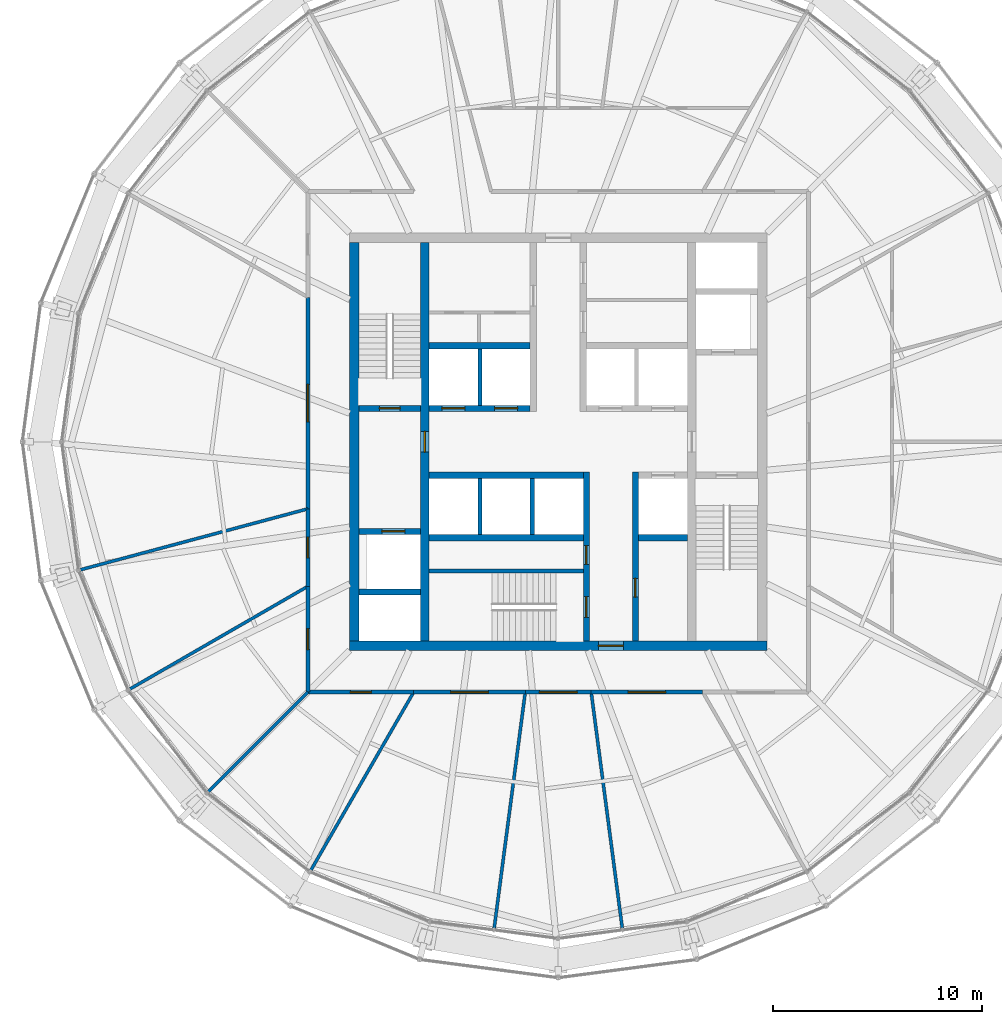
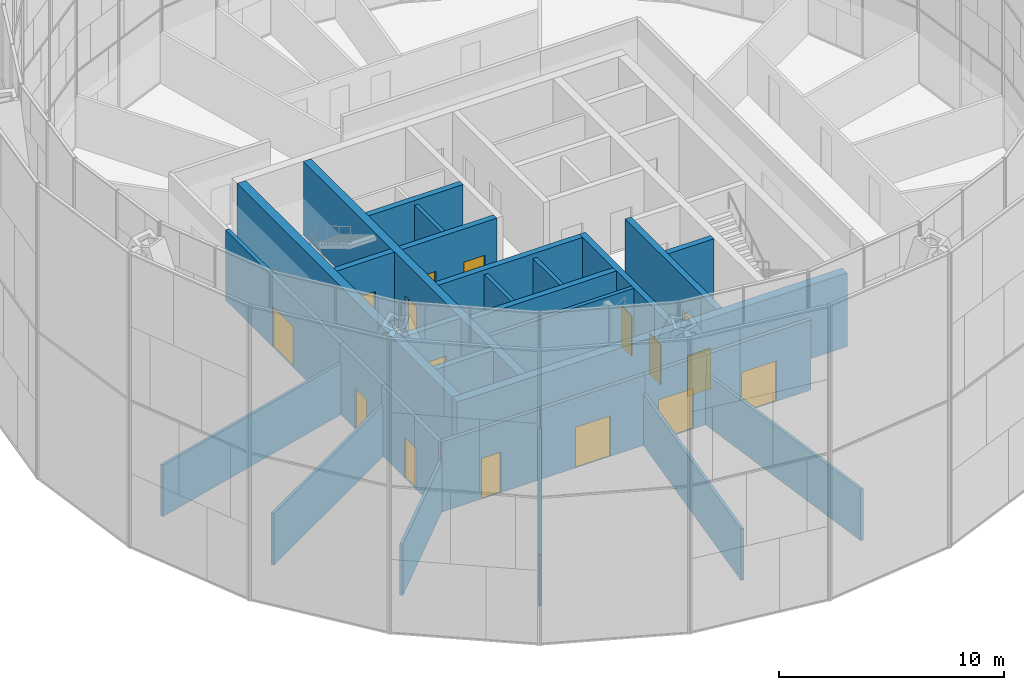
# One storey, part 25 of 28: 30 walls, 16 doors, 16 openings.
"""IFC4 building model written with IfcOpenShell, lengths in metres."""

import ifcopenshell
import ifcopenshell.guid

model = None  # the IFC model being written
_history = None  # IfcOwnerHistory: only IFC2X3 demands one
_inside = {}  # id of a spatial element -> (the spatial element, [elements in it])
_under = {}  # id of a project, library or spatial element -> (it, [spatial elements below it])
_declared = {}  # id of a project -> (the project, [libraries it declares])
_typed = {}  # id of a type object -> (the type object, [elements of that type])
_made_of = {}  # id of a material, layer set ... -> (it, [elements and type objects made of it])


def new_model(schema):
    """Start an empty IFC model of exactly this schema.

    Asked for "IFC4X3", IfcOpenShell would pick the latest addendum, in which some entities
    have other attributes; the version numbers below select the first issue.
    IFC2X3 requires an IfcOwnerHistory on every rooted entity: one is made here for all.
    """
    global model, _history
    if schema == "IFC4X3":
        model = ifcopenshell.file(schema_version=(4, 3, 0, 0))
    else:
        model = ifcopenshell.file(schema=schema)
    _inside.clear()
    _under.clear()
    _declared.clear()
    _typed.clear()
    _made_of.clear()
    _history = None
    if model.schema == "IFC2X3":
        org = make("IfcOrganization", Name="unknown")
        user = make(
            "IfcPersonAndOrganization",
            ThePerson=make("IfcPerson", FamilyName="unknown"),
            TheOrganization=org,
        )
        app = make(
            "IfcApplication",
            ApplicationDeveloper=org,
            Version="unknown",
            ApplicationFullName="unknown",
            ApplicationIdentifier="unknown",
        )
        _history = make(
            "IfcOwnerHistory",
            OwningUser=user,
            OwningApplication=app,
            ChangeAction="ADDED",
            CreationDate=0,
        )
    return model


def make(cls, **values):
    """One entity of the class cls with the attributes given. An attribute that is None is left unset."""
    return model.create_entity(
        cls, **{name: value for name, value in values.items() if value is not None}
    )


def rooted(cls, **values):
    """An entity with a GlobalId (a new one), such as an element, a storey or a relation."""
    return make(cls, GlobalId=ifcopenshell.guid.new(), OwnerHistory=_history, **values)


def si_unit(unit_type, name, prefix=None):
    """IfcSIUnit, for example si_unit("LENGTHUNIT", "METRE", prefix="MILLI")."""
    return make("IfcSIUnit", UnitType=unit_type, Prefix=prefix, Name=name)


def assignment(units):
    """IfcUnitAssignment: the units of a project."""
    return None if units is None else make("IfcUnitAssignment", Units=units)


def point(xyz):
    """IfcCartesianPoint."""
    return None if xyz is None else make("IfcCartesianPoint", Coordinates=xyz)


def direction(xyz):
    """IfcDirection."""
    return None if xyz is None else make("IfcDirection", DirectionRatios=xyz)


def frame(location, z_axis=None, x_axis=None):
    """IfcAxis2Placement3D, a coordinate frame: its origin and axes. An axis left out is left unset."""
    return make(
        "IfcAxis2Placement3D",
        Location=point(location),
        Axis=direction(z_axis),
        RefDirection=direction(x_axis),
    )


def frame_2d(location, x_axis=None):
    """IfcAxis2Placement2D, a coordinate frame in the plane: its origin and x axis."""
    return make(
        "IfcAxis2Placement2D", Location=point(location), RefDirection=direction(x_axis)
    )


def origin():
    """The frame at (0, 0, 0) with its axes left unset."""
    return frame((0.0, 0.0, 0.0))


def place(relative_to, where):
    """IfcLocalPlacement: puts the frame where relative to a parent placement (None: the world)."""
    return make(
        "IfcLocalPlacement", PlacementRelTo=relative_to, RelativePlacement=where
    )


def context(
    kind, dimensions, precision=None, world=None, true_north=None, identifier=None
):
    """IfcGeometricRepresentationContext, for example the 3D "Model" context."""
    return make(
        "IfcGeometricRepresentationContext",
        ContextIdentifier=identifier,
        ContextType=kind,
        CoordinateSpaceDimension=dimensions,
        Precision=precision,
        WorldCoordinateSystem=world,
        TrueNorth=true_north,
    )


def subcontext(parent, identifier, kind, view, scale=None):
    """IfcGeometricRepresentationSubContext, for example "Body" below "Model"."""
    return make(
        "IfcGeometricRepresentationSubContext",
        ContextIdentifier=identifier,
        ContextType=kind,
        ParentContext=parent,
        TargetScale=scale,
        TargetView=view,
    )


def project(units=None, contexts=None):
    """IfcProject with its units and contexts."""
    return rooted(
        "IfcProject",
        Name="project",
        RepresentationContexts=contexts,
        UnitsInContext=assignment(units),
    )


def spatial(cls, under=None, at=None, **own):
    """A site, building, storey or space (cls), placed at a placement, below another one or the project."""
    s = rooted(cls, ObjectPlacement=at, **own)
    if under is not None:
        _under.setdefault(under.id(), (under, []))[1].append(s)
    return s


def profile(cls, at=None, kind="AREA", **sizes):
    """A parametric profile (cls). Its sizes go by their IFC names, for example OverallWidth=200.0."""
    return make(cls, ProfileType=kind, Position=at, **sizes)


def rectangle(**sizes):
    """IfcRectangleProfileDef."""
    return profile("IfcRectangleProfileDef", **sizes)


def extrude(swept, where, along, depth):
    """IfcExtrudedAreaSolid: the profile swept, set in the frame where, extruded along a direction by depth."""
    return make(
        "IfcExtrudedAreaSolid",
        SweptArea=swept,
        Position=where,
        ExtrudedDirection=direction(along),
        Depth=depth,
    )


def shape(context_of_items, identifier, shape_type, items):
    """IfcShapeRepresentation: the items that make up one representation, for example the "Body"."""
    return make(
        "IfcShapeRepresentation",
        ContextOfItems=context_of_items,
        RepresentationIdentifier=identifier,
        RepresentationType=shape_type,
        Items=items,
    )


def material(Name=None, Category=None):
    """IfcMaterial."""
    return make("IfcMaterial", Name=Name, Category=Category)


def layer(
    of_material, thickness, ventilated=None, Name=None, Category=None, Priority=None
):
    """IfcMaterialLayer: one layer of a wall or slab, of a material (None: an air gap)."""
    return make(
        "IfcMaterialLayer",
        Material=of_material,
        LayerThickness=thickness,
        IsVentilated=ventilated,
        Name=Name,
        Category=Category,
        Priority=Priority,
    )


def layer_set(layers, Name=None):
    """IfcMaterialLayerSet."""
    return make("IfcMaterialLayerSet", MaterialLayers=layers, LayerSetName=Name)


def made_of(thing, what):
    """Note that an element or type object is made of a material, layer set ...; save() writes the relation."""
    if what is not None:
        _made_of.setdefault(what.id(), (what, []))[1].append(thing)
    return thing


def type_object(cls, material=None, **own):
    """A type object (cls), such as IfcWallType, which elements share."""
    return made_of(rooted(cls, **own), material)


def element(
    cls,
    number,
    at=None,
    inside=None,
    cuts=None,
    type_object=None,
    material=None,
    context=None,
    identifier="Body",
    shape_type=None,
    held_by="IfcProductDefinitionShape",
    body=None,
    shapes=None,
    **own,
):
    """One element of the class cls, such as IfcWall. Its Tag is "e" and its number.

    at: its placement. inside: the storey or other place that contains it. cuts: it is an
    opening in that element (IfcRelVoidsElement). A single representation is given by context,
    identifier, shape_type and body (its items); several are given by shapes. held_by: the class
    of the entity that holds the representations. save() writes the other relations.
    """
    e = rooted(cls, Tag="e%d" % number, ObjectPlacement=at, **own)
    if body is not None:
        shapes = [shape(context, identifier, shape_type, body)]
    if shapes is not None:
        e.Representation = make(held_by, Representations=shapes)
    if inside is not None:
        _inside.setdefault(inside.id(), (inside, []))[1].append(e)
    if cuts is not None:
        rooted(
            "IfcRelVoidsElement", RelatingBuildingElement=cuts, RelatedOpeningElement=e
        )
    if type_object is not None:
        _typed.setdefault(type_object.id(), (type_object, []))[1].append(e)
    return made_of(e, material)


def fill(opening, filler):
    """IfcRelFillsElement: the door or window that sits in an opening."""
    return rooted(
        "IfcRelFillsElement",
        RelatingOpeningElement=opening,
        RelatedBuildingElement=filler,
    )


def aggregate(whole, parts):
    """IfcRelAggregates: a whole, such as a stair, and the parts it consists of."""
    return rooted("IfcRelAggregates", RelatingObject=whole, RelatedObjects=parts)


def save(model, path):
    """Write the relations noted so far, then the file.

    IfcRelAggregates (storeys below a building ...), IfcRelContainedInSpatialStructure (elements
    in a storey), IfcRelDefinesByType, IfcRelAssociatesMaterial and IfcRelDeclares: one each for
    every whole, place, type object, material and project.
    """
    for whole, parts in _under.values():
        aggregate(whole, parts)
    for where, things in _inside.values():
        rooted(
            "IfcRelContainedInSpatialStructure",
            RelatedElements=things,
            RelatingStructure=where,
        )
    for kind, things in _typed.values():
        rooted("IfcRelDefinesByType", RelatedObjects=things, RelatingType=kind)
    for what, things in _made_of.values():
        rooted("IfcRelAssociatesMaterial", RelatedObjects=things, RelatingMaterial=what)
    for by, libraries in _declared.values():
        rooted("IfcRelDeclares", RelatingContext=by, RelatedDefinitions=libraries)
    model.write(path)


model = new_model("IFC4")

# Units and contexts
model_context = context("Model", 3, precision=1e-05, world=origin(), true_north=direction((0.0, 1.0)))
body_context = subcontext(model_context, "Body", "Model", "MODEL_VIEW")
ifc_project = project(units=[si_unit("LENGTHUNIT", "METRE"), si_unit("AREAUNIT", "SQUARE_METRE"), si_unit("VOLUMEUNIT", "CUBIC_METRE"), si_unit("PLANEANGLEUNIT", "RADIAN"), si_unit("MASSUNIT", "GRAM", prefix="KILO")], contexts=[model_context])

# Site, building, storey
site_placement = place(None, origin())
site = spatial("IfcSite", under=ifc_project, at=site_placement, CompositionType="ELEMENT")
building_placement = place(site_placement, origin())
building = spatial("IfcBuilding", under=site, at=building_placement, Name="Golbaran Civic Tower", CompositionType="ELEMENT")
storey_placement = place(building_placement, frame((0.0, 0.0, 183.0)))
storey = spatial("IfcBuildingStorey", under=building, at=storey_placement, Name="L44", CompositionType="ELEMENT", Elevation=183.0)

# Wall, opening, door
ifc_material_1 = material(Name="Concrete C50/60", Category="concrete")
ifc_layer_1 = layer(ifc_material_1, 0.39990234375, Name="Concrete C50/60")
ifc_layer_set_1 = layer_set([ifc_layer_1], Name="Concrete C50/60")
wall_type_1 = type_object("IfcWallType", Name="CORE WALL CONCRETE 400", PredefinedType="SOLIDWALL", material=ifc_layer_set_1)
wall_1_placement = place(storey_placement, frame((-6.39990234375, -9.550048828125, 0.0), z_axis=(0.0, 0.0, 1.0), x_axis=(0.0, 1.0, 0.0)))
wall_1 = element("IfcWall", 1, at=wall_1_placement, inside=storey, type_object=wall_type_1, Name="Core wall IW L44", PredefinedType="SOLIDWALL", context=body_context, shape_type="SweptSolid", body=[
    extrude(rectangle(XDim=19.10009765625, YDim=0.39990234375, at=frame_2d((9.550048828125, 0.0))), origin(), (0.0, 0.0, 1.0), 4.0),
])
opening_1_placement = place(wall_1_placement, frame((9.050048828125, 0.0, 0.0)))
opening_1 = element("IfcOpeningElement", 2, at=opening_1_placement, cuts=wall_1, Name="Opening L44.FL1", PredefinedType="OPENING", context=body_context, shape_type="SweptSolid", body=[
    extrude(rectangle(XDim=1.0, YDim=2.199951171875, at=frame_2d((0.5, 1.10009765625))), frame((0.0, 0.2099609375, 0.0), z_axis=(0.0, -1.0, 0.0), x_axis=(1.0, 0.0, 0.0)), (0.0, 0.0, 1.0), 0.419921875),
])
ifc_material_2 = material(Name="Timber door set in steel frame", Category="steel")
door_type_1 = type_object("IfcDoorType", Name="STAIR DOOR 1000x2200", OperationType="SINGLE_SWING_LEFT", PredefinedType="DOOR", material=ifc_material_2)
door_1_placement = place(opening_1_placement, origin())
door_1 = element("IfcDoor", 3, at=door_1_placement, inside=storey, type_object=door_type_1, Name="Fire-fighting lobby FL1 door", OperationType="SINGLE_SWING_LEFT", OverallHeight=2.199951171875, OverallWidth=1.0, PredefinedType="DOOR", context=body_context, shape_type="SweptSolid", body=[
    extrude(rectangle(XDim=1.0, YDim=2.199951171875, at=frame_2d((0.5, 1.10009765625))), frame((0.0, 0.02490234375, 0.0), z_axis=(0.0, -1.0, 0.0), x_axis=(1.0, 0.0, 0.0)), (0.0, 0.0, 1.0), 0.050048828125),
])
fill(opening_1, door_1)

ifc_layer_2 = layer(ifc_material_1, 0.449951171875, Name="Concrete C50/60")
ifc_layer_set_2 = layer_set([ifc_layer_2], Name="Concrete C50/60")
wall_type_2 = type_object("IfcWallType", Name="CORE WALL CONCRETE 450", PredefinedType="SOLIDWALL", material=ifc_layer_set_2)
wall_2_placement = place(storey_placement, frame((10.0, -9.77490234375, 0.0), z_axis=(0.0, 0.0, 1.0), x_axis=(-1.0, 0.0, 0.0)))
wall_2 = element("IfcWall", 4, at=wall_2_placement, inside=storey, type_object=wall_type_2, Name="Core wall CS L44", PredefinedType="SOLIDWALL", context=body_context, shape_type="SweptSolid", body=[
    extrude(rectangle(XDim=20.0, YDim=0.449951171875, at=frame_2d((10.0, 0.0))), origin(), (0.0, 0.0, 1.0), 4.0),
])
opening_2_placement = place(wall_2_placement, frame((6.875, 0.0, 0.0)))
opening_2 = element("IfcOpeningElement", 5, at=opening_2_placement, cuts=wall_2, Name="Opening L44.CS", PredefinedType="OPENING", context=body_context, shape_type="SweptSolid", body=[
    extrude(rectangle(XDim=1.199951171875, YDim=2.199951171875, at=frame_2d((0.60009765625, 1.10009765625))), frame((0.0, 0.23486328125, 0.0), z_axis=(0.0, -1.0, 0.0), x_axis=(1.0, 0.0, 0.0)), (0.0, 0.0, 1.0), 0.469970703125),
])
door_type_2 = type_object("IfcDoorType", Name="CORE DOOR 1200x2200", OperationType="DOUBLE_DOOR_SINGLE_SWING", PredefinedType="DOOR", material=ifc_material_2)
door_2_placement = place(opening_2_placement, origin())
door_2 = element("IfcDoor", 6, at=door_2_placement, inside=storey, type_object=door_type_2, Name="Core door south", OperationType="DOUBLE_DOOR_SINGLE_SWING", OverallHeight=2.199951171875, OverallWidth=1.199951171875, PredefinedType="DOOR", context=body_context, shape_type="SweptSolid", body=[
    extrude(rectangle(XDim=1.199951171875, YDim=2.199951171875, at=frame_2d((0.60009765625, 1.10009765625))), frame((0.0, 0.02490234375, 0.0), z_axis=(0.0, -1.0, 0.0), x_axis=(1.0, 0.0, 0.0)), (0.0, 0.0, 1.0), 0.050048828125),
])
fill(opening_2, door_2)

# Wall
wall_3_placement = place(storey_placement, frame((-9.77490234375, 9.550048828125, 0.0), z_axis=(0.0, 0.0, 1.0), x_axis=(0.0, -1.0, 0.0)))
element("IfcWall", 7, at=wall_3_placement, inside=storey, type_object=wall_type_2, Name="Core wall CW L44", PredefinedType="SOLIDWALL", context=body_context, shape_type="SweptSolid", body=[
    extrude(rectangle(XDim=19.10009765625, YDim=0.449951171875, at=frame_2d((9.550048828125, 0.0))), origin(), (0.0, 0.0, 1.0), 4.0),
])

# Wall, opening, door
ifc_material_3 = material(Name="Gypsum board on steel studs, fire-rated", Category="steel")
ifc_layer_3 = layer(ifc_material_3, 0.199951171875, Name="Gypsum board on steel studs, fire-rated")
ifc_layer_set_3 = layer_set([ifc_layer_3], Name="Gypsum board on steel studs, fire-rated")
wall_type_3 = type_object("IfcWallType", Name="CORRIDOR WALL 200", PredefinedType="PARTITIONING", material=ifc_layer_set_3)
wall_4_placement = place(storey_placement, frame((-12.0, 6.92822265625, 0.0), z_axis=(0.0, 0.0, 1.0), x_axis=(0.0, -1.0, 0.0)))
wall_4 = element("IfcWall", 8, at=wall_4_placement, inside=storey, type_object=wall_type_3, Name="Corridor wall L44", PredefinedType="PARTITIONING", context=body_context, shape_type="SweptSolid", body=[
    extrude(rectangle(XDim=10.1435546875, YDim=0.199951171875, at=frame_2d((5.07177734375, 0.0))), origin(), (0.0, 0.0, 1.0), 3.800048828125),
])
opening_3_placement = place(wall_4_placement, frame((4.171875, 0.0, 0.0)))
opening_3 = element("IfcOpeningElement", 9, at=opening_3_placement, cuts=wall_4, Name="Opening L44.14", PredefinedType="OPENING", context=body_context, shape_type="SweptSolid", body=[
    extrude(rectangle(XDim=1.800048828125, YDim=2.199951171875, at=frame_2d((0.89990234375, 1.10009765625))), frame((0.0, 0.10986328125, 0.0), z_axis=(0.0, -1.0, 0.0), x_axis=(1.0, 0.0, 0.0)), (0.0, 0.0, 1.0), 0.219970703125),
])
door_type_3 = type_object("IfcDoorType", Name="OFFICE DOUBLE DOOR 1800x2200", OperationType="DOUBLE_DOOR_SINGLE_SWING", PredefinedType="DOOR", material=ifc_material_2)
door_3_placement = place(opening_3_placement, origin())
door_3 = element("IfcDoor", 10, at=door_3_placement, inside=storey, type_object=door_type_3, Name="IT Services Office door L44", OperationType="DOUBLE_DOOR_SINGLE_SWING", OverallHeight=2.199951171875, OverallWidth=1.800048828125, PredefinedType="DOOR", context=body_context, shape_type="SweptSolid", body=[
    extrude(rectangle(XDim=1.800048828125, YDim=2.199951171875, at=frame_2d((0.89990234375, 1.10009765625))), frame((0.0, 0.02490234375, 0.0), z_axis=(0.0, -1.0, 0.0), x_axis=(1.0, 0.0, 0.0)), (0.0, 0.0, 1.0), 0.050048828125),
])
fill(opening_3, door_3)

wall_5_placement = place(storey_placement, frame((-12.0, -3.21533203125, 0.0), z_axis=(0.0, 0.0, 1.0), x_axis=(0.0, -1.0, 0.0)))
wall_5 = element("IfcWall", 11, at=wall_5_placement, inside=storey, type_object=wall_type_3, Name="Corridor wall L44", PredefinedType="PARTITIONING", context=body_context, shape_type="SweptSolid", body=[
    extrude(rectangle(XDim=3.712890625, YDim=0.199951171875, at=frame_2d((1.8564453125, 0.0))), origin(), (0.0, 0.0, 1.0), 3.800048828125),
])
opening_4_placement = place(wall_5_placement, frame((1.3564453125, 0.0, 0.0)))
opening_4 = element("IfcOpeningElement", 12, at=opening_4_placement, cuts=wall_5, Name="Opening L44.15", PredefinedType="OPENING", context=body_context, shape_type="SweptSolid", body=[
    extrude(rectangle(XDim=1.0, YDim=2.199951171875, at=frame_2d((0.5, 1.10009765625))), frame((0.0, 0.10986328125, 0.0), z_axis=(0.0, -1.0, 0.0), x_axis=(1.0, 0.0, 0.0)), (0.0, 0.0, 1.0), 0.219970703125),
])
door_type_4 = type_object("IfcDoorType", Name="OFFICE DOOR 1000x2200", OperationType="SINGLE_SWING_LEFT", PredefinedType="DOOR", material=ifc_material_2)
door_4_placement = place(opening_4_placement, origin())
door_4 = element("IfcDoor", 13, at=door_4_placement, inside=storey, type_object=door_type_4, Name="Meeting Room door L44", OperationType="SINGLE_SWING_RIGHT", OverallHeight=2.199951171875, OverallWidth=1.0, PredefinedType="DOOR", context=body_context, shape_type="SweptSolid", body=[
    extrude(rectangle(XDim=1.0, YDim=2.199951171875, at=frame_2d((0.5, 1.10009765625))), frame((0.0, 0.02490234375, 0.0), z_axis=(0.0, -1.0, 0.0), x_axis=(1.0, 0.0, 0.0)), (0.0, 0.0, 1.0), 0.050048828125),
])
fill(opening_4, door_4)

wall_6_placement = place(storey_placement, frame((-12.0, -6.92822265625, 0.0), z_axis=(0.0, 0.0, 1.0), x_axis=(0.0, -1.0, 0.0)))
wall_6 = element("IfcWall", 14, at=wall_6_placement, inside=storey, type_object=wall_type_3, Name="Corridor wall L44", PredefinedType="PARTITIONING", context=body_context, shape_type="SweptSolid", body=[
    extrude(rectangle(XDim=5.07177734375, YDim=0.199951171875, at=frame_2d((2.535888671875, 0.0))), origin(), (0.0, 0.0, 1.0), 3.800048828125),
])
opening_5_placement = place(wall_6_placement, frame((2.035888671875, 0.0, 0.0)))
opening_5 = element("IfcOpeningElement", 15, at=opening_5_placement, cuts=wall_6, Name="Opening L44.16", PredefinedType="OPENING", context=body_context, shape_type="SweptSolid", body=[
    extrude(rectangle(XDim=1.0, YDim=2.199951171875, at=frame_2d((0.5, 1.10009765625))), frame((0.0, 0.10986328125, 0.0), z_axis=(0.0, -1.0, 0.0), x_axis=(1.0, 0.0, 0.0)), (0.0, 0.0, 1.0), 0.219970703125),
])
door_5_placement = place(opening_5_placement, origin())
door_5 = element("IfcDoor", 16, at=door_5_placement, inside=storey, type_object=door_type_4, Name="Meeting Room door L44", OperationType="SINGLE_SWING_RIGHT", OverallHeight=2.199951171875, OverallWidth=1.0, PredefinedType="DOOR", context=body_context, shape_type="SweptSolid", body=[
    extrude(rectangle(XDim=1.0, YDim=2.199951171875, at=frame_2d((0.5, 1.10009765625))), frame((0.0, 0.02490234375, 0.0), z_axis=(0.0, -1.0, 0.0), x_axis=(1.0, 0.0, 0.0)), (0.0, 0.0, 1.0), 0.050048828125),
])
fill(opening_5, door_5)

wall_7_placement = place(storey_placement, frame((-12.0, -12.0, 0.0), z_axis=(0.0, 0.0, 1.0), x_axis=(1.0, 0.0, 0.0)))
wall_7 = element("IfcWall", 17, at=wall_7_placement, inside=storey, type_object=wall_type_3, Name="Corridor wall L44", PredefinedType="PARTITIONING", context=body_context, shape_type="SweptSolid", body=[
    extrude(rectangle(XDim=5.07177734375, YDim=0.199951171875, at=frame_2d((2.535888671875, 0.0))), origin(), (0.0, 0.0, 1.0), 3.800048828125),
])
opening_6_placement = place(wall_7_placement, frame((2.035888671875, 0.0, 0.0)))
opening_6 = element("IfcOpeningElement", 18, at=opening_6_placement, cuts=wall_7, Name="Opening L44.17", PredefinedType="OPENING", context=body_context, shape_type="SweptSolid", body=[
    extrude(rectangle(XDim=1.0, YDim=2.199951171875, at=frame_2d((0.5, 1.10009765625))), frame((0.0, 0.10986328125, 0.0), z_axis=(0.0, -1.0, 0.0), x_axis=(1.0, 0.0, 0.0)), (0.0, 0.0, 1.0), 0.219970703125),
])
door_6_placement = place(opening_6_placement, origin())
door_6 = element("IfcDoor", 19, at=door_6_placement, inside=storey, type_object=door_type_4, Name="Store door L44", OperationType="SINGLE_SWING_LEFT", OverallHeight=2.199951171875, OverallWidth=1.0, PredefinedType="DOOR", context=body_context, shape_type="SweptSolid", body=[
    extrude(rectangle(XDim=1.0, YDim=2.199951171875, at=frame_2d((0.5, 1.10009765625))), frame((0.0, 0.02490234375, 0.0), z_axis=(0.0, -1.0, 0.0), x_axis=(1.0, 0.0, 0.0)), (0.0, 0.0, 1.0), 0.050048828125),
])
fill(opening_6, door_6)

wall_8_placement = place(storey_placement, frame((-6.92822265625, -12.0, 0.0), z_axis=(0.0, 0.0, 1.0), x_axis=(1.0, 0.0, 0.0)))
wall_8 = element("IfcWall", 20, at=wall_8_placement, inside=storey, type_object=wall_type_3, Name="Corridor wall L44", PredefinedType="PARTITIONING", context=body_context, shape_type="SweptSolid", body=[
    extrude(rectangle(XDim=5.348388671875, YDim=0.199951171875, at=frame_2d((2.67431640625, 0.0))), origin(), (0.0, 0.0, 1.0), 3.800048828125),
])
opening_7_placement = place(wall_8_placement, frame((1.774169921875, 0.0, 0.0)))
opening_7 = element("IfcOpeningElement", 21, at=opening_7_placement, cuts=wall_8, Name="Opening L44.18", PredefinedType="OPENING", context=body_context, shape_type="SweptSolid", body=[
    extrude(rectangle(XDim=1.800048828125, YDim=2.199951171875, at=frame_2d((0.89990234375, 1.10009765625))), frame((0.0, 0.10986328125, 0.0), z_axis=(0.0, -1.0, 0.0), x_axis=(1.0, 0.0, 0.0)), (0.0, 0.0, 1.0), 0.219970703125),
])
door_7_placement = place(opening_7_placement, origin())
door_7 = element("IfcDoor", 22, at=door_7_placement, inside=storey, type_object=door_type_3, Name="Data and Statistics Office door L44", OperationType="DOUBLE_DOOR_SINGLE_SWING", OverallHeight=2.199951171875, OverallWidth=1.800048828125, PredefinedType="DOOR", context=body_context, shape_type="SweptSolid", body=[
    extrude(rectangle(XDim=1.800048828125, YDim=2.199951171875, at=frame_2d((0.89990234375, 1.10009765625))), frame((0.0, 0.02490234375, 0.0), z_axis=(0.0, -1.0, 0.0), x_axis=(1.0, 0.0, 0.0)), (0.0, 0.0, 1.0), 0.050048828125),
])
fill(opening_7, door_7)

wall_9_placement = place(storey_placement, frame((-1.579833984375, -12.0, 0.0), z_axis=(0.0, 0.0, 1.0), x_axis=(1.0, 0.0, 0.0)))
wall_9 = element("IfcWall", 23, at=wall_9_placement, inside=storey, type_object=wall_type_3, Name="Corridor wall L44", PredefinedType="PARTITIONING", context=body_context, shape_type="SweptSolid", body=[
    extrude(rectangle(XDim=3.15966796875, YDim=0.199951171875, at=frame_2d((1.579833984375, 0.0))), origin(), (0.0, 0.0, 1.0), 3.800048828125),
])
opening_8_placement = place(wall_9_placement, frame((0.679931640625, 0.0, 0.0)))
opening_8 = element("IfcOpeningElement", 24, at=opening_8_placement, cuts=wall_9, Name="Opening L44.19", PredefinedType="OPENING", context=body_context, shape_type="SweptSolid", body=[
    extrude(rectangle(XDim=1.800048828125, YDim=2.199951171875, at=frame_2d((0.89990234375, 1.10009765625))), frame((0.0, 0.10986328125, 0.0), z_axis=(0.0, -1.0, 0.0), x_axis=(1.0, 0.0, 0.0)), (0.0, 0.0, 1.0), 0.219970703125),
])
door_8_placement = place(opening_8_placement, origin())
door_8 = element("IfcDoor", 25, at=door_8_placement, inside=storey, type_object=door_type_3, Name="Data and Statistics Office door L44", OperationType="DOUBLE_DOOR_SINGLE_SWING", OverallHeight=2.199951171875, OverallWidth=1.800048828125, PredefinedType="DOOR", context=body_context, shape_type="SweptSolid", body=[
    extrude(rectangle(XDim=1.800048828125, YDim=2.199951171875, at=frame_2d((0.89990234375, 1.10009765625))), frame((0.0, 0.02490234375, 0.0), z_axis=(0.0, -1.0, 0.0), x_axis=(1.0, 0.0, 0.0)), (0.0, 0.0, 1.0), 0.050048828125),
])
fill(opening_8, door_8)

wall_10_placement = place(storey_placement, frame((1.579833984375, -12.0, 0.0), z_axis=(0.0, 0.0, 1.0), x_axis=(1.0, 0.0, 0.0)))
wall_10 = element("IfcWall", 26, at=wall_10_placement, inside=storey, type_object=wall_type_3, Name="Corridor wall L44", PredefinedType="PARTITIONING", context=body_context, shape_type="SweptSolid", body=[
    extrude(rectangle(XDim=5.348388671875, YDim=0.199951171875, at=frame_2d((2.67431640625, 0.0))), origin(), (0.0, 0.0, 1.0), 3.800048828125),
])
opening_9_placement = place(wall_10_placement, frame((1.774169921875, 0.0, 0.0)))
opening_9 = element("IfcOpeningElement", 27, at=opening_9_placement, cuts=wall_10, Name="Opening L44.20", PredefinedType="OPENING", context=body_context, shape_type="SweptSolid", body=[
    extrude(rectangle(XDim=1.800048828125, YDim=2.199951171875, at=frame_2d((0.89990234375, 1.10009765625))), frame((0.0, 0.10986328125, 0.0), z_axis=(0.0, -1.0, 0.0), x_axis=(1.0, 0.0, 0.0)), (0.0, 0.0, 1.0), 0.219970703125),
])
door_9_placement = place(opening_9_placement, origin())
door_9 = element("IfcDoor", 28, at=door_9_placement, inside=storey, type_object=door_type_3, Name="Data and Statistics Office door L44", OperationType="DOUBLE_DOOR_SINGLE_SWING", OverallHeight=2.199951171875, OverallWidth=1.800048828125, PredefinedType="DOOR", context=body_context, shape_type="SweptSolid", body=[
    extrude(rectangle(XDim=1.800048828125, YDim=2.199951171875, at=frame_2d((0.89990234375, 1.10009765625))), frame((0.0, 0.02490234375, 0.0), z_axis=(0.0, -1.0, 0.0), x_axis=(1.0, 0.0, 0.0)), (0.0, 0.0, 1.0), 0.050048828125),
])
fill(opening_9, door_9)

# Walls
ifc_material_4 = material(Name="Concrete block", Category="concrete")
ifc_layer_4 = layer(ifc_material_4, 0.199951171875, Name="Concrete block")
ifc_layer_set_4 = layer_set([ifc_layer_4], Name="Concrete block")
wall_type_4 = type_object("IfcWallType", Name="LIFT SEPARATOR WALL 200", PredefinedType="SOLIDWALL", material=ifc_layer_set_4)
for number, where, z_axis, x_axis, name in (
    (29, (-3.75, 1.75, 0.0), (0.0, 0.0, 1.0), (0.0, 1.0, 0.0), "Core partition SNW L44"),
    (30, (-3.75, -1.75, 0.0), (0.0, 0.0, 1.0), (0.0, -1.0, 0.0), "Core partition SSW L44"),
    (31, (-1.25, -1.75, 0.0), (0.0, 0.0, 1.0), (0.0, -1.0, 0.0), "Core partition SSM L44"),
):
    element("IfcWall", number, at=place(storey_placement, frame(where, z_axis=z_axis, x_axis=x_axis)), inside=storey, type_object=wall_type_4, Name=name, PredefinedType="SOLIDWALL", context=body_context, shape_type="SweptSolid", body=[
        extrude(rectangle(XDim=2.699951171875, YDim=0.199951171875, at=frame_2d((1.35009765625, 0.0))), origin(), (0.0, 0.0, 1.0), 3.75),
    ])
ifc_material_5 = material(Name="Gypsum board on steel studs", Category="steel")
ifc_layer_5 = layer(ifc_material_5, 0.14990234375, Name="Gypsum board on steel studs")
ifc_layer_set_5 = layer_set([ifc_layer_5], Name="Gypsum board on steel studs")
wall_type_5 = type_object("IfcWallType", Name="OFFICE PARTITION 150", PredefinedType="PARTITIONING", material=ifc_layer_set_5)
wall_11_placement = place(storey_placement, frame((-12.0, -3.21533203125, 0.0), z_axis=(0.0, 0.0, 1.0), x_axis=(-0.965926155577, -0.258817816178, 0.0)))
element("IfcWall", 32, at=wall_11_placement, inside=storey, type_object=wall_type_5, Name="Partition 195 L44", PredefinedType="PARTITIONING", context=body_context, shape_type="SweptSolid", body=[
    extrude(rectangle(XDim=11.2978515625, YDim=0.14990234375, at=frame_2d((5.64892578125, 0.0))), origin(), (0.0, 0.0, 1.0), 2.7900390625),
])
wall_12_placement = place(storey_placement, frame((-12.0, -6.92822265625, 0.0), z_axis=(0.0, 0.0, 1.0), x_axis=(-0.866027739639, -0.49999595416, 0.0)))
element("IfcWall", 33, at=wall_12_placement, inside=storey, type_object=wall_type_5, Name="Partition 210 L44", PredefinedType="PARTITIONING", context=body_context, shape_type="SweptSolid", body=[
    extrude(rectangle(XDim=9.86474609375, YDim=0.14990234375, at=frame_2d((4.932373046875, 0.0))), origin(), (0.0, 0.0, 1.0), 2.7900390625),
])
wall_13_placement = place(storey_placement, frame((-12.0, -12.0, 0.0), z_axis=(0.0, 0.0, 1.0), x_axis=(-0.707106781187, -0.707106781187, 0.0)))
element("IfcWall", 34, at=wall_13_placement, inside=storey, type_object=wall_type_5, Name="Partition 225 L44", PredefinedType="PARTITIONING", context=body_context, shape_type="SweptSolid", body=[
    extrude(rectangle(XDim=6.750732421875, YDim=0.14990234375, at=frame_2d((3.37548828125, 0.0))), origin(), (0.0, 0.0, 1.0), 2.7900390625),
])
wall_14_placement = place(storey_placement, frame((-6.92822265625, -12.0, 0.0), z_axis=(0.0, 0.0, 1.0), x_axis=(-0.49999595416, -0.866027739639, 0.0)))
element("IfcWall", 35, at=wall_14_placement, inside=storey, type_object=wall_type_5, Name="Partition 240 L44", PredefinedType="PARTITIONING", context=body_context, shape_type="SweptSolid", body=[
    extrude(rectangle(XDim=9.86474609375, YDim=0.14990234375, at=frame_2d((4.932373046875, 0.0))), origin(), (0.0, 0.0, 1.0), 2.7900390625),
])
for number, where, z_axis, x_axis, name in (
    (36, (-1.579833984375, -12.0, 0.0), (0.0, 0.0, 1.0), (-0.130531416064, -0.991444173628, 0.0), "Partition 262.5 L44"),
    (37, (1.579833984375, -12.0, 0.0), (0.0, 0.0, 1.0), (0.130531416064, -0.991444173628, 0.0), "Partition 277.5 L44"),
):
    element("IfcWall", number, at=place(storey_placement, frame(where, z_axis=z_axis, x_axis=x_axis)), inside=storey, type_object=wall_type_5, Name=name, PredefinedType="PARTITIONING", context=body_context, shape_type="SweptSolid", body=[
        extrude(rectangle(XDim=11.414794921875, YDim=0.14990234375, at=frame_2d((5.70751953125, 0.0))), origin(), (0.0, 0.0, 1.0), 2.7900390625),
    ])
ifc_layer_6 = layer(ifc_material_1, 0.199951171875, Name="Concrete C50/60")
ifc_layer_set_6 = layer_set([ifc_layer_6], Name="Concrete C50/60")
wall_type_6 = type_object("IfcWallType", Name="SHAFT WALL CONCRETE 200", PredefinedType="SOLIDWALL", material=ifc_layer_set_6)
wall_15_placement = place(storey_placement, frame((-6.199951171875, -6.199951171875, 0.0), z_axis=(0.0, 0.0, 1.0), x_axis=(1.0, 0.0, 0.0)))
element("IfcWall", 38, at=wall_15_placement, inside=storey, type_object=wall_type_6, Name="Core wall S3N L44", PredefinedType="SOLIDWALL", context=body_context, shape_type="SweptSolid", body=[
    extrude(rectangle(XDim=7.39990234375, YDim=0.199951171875, at=frame_2d((3.699951171875, 0.0))), origin(), (0.0, 0.0, 1.0), 4.0),
])

# Wall, openings, doors
ifc_layer_7 = layer(ifc_material_1, 0.300048828125, Name="Concrete C50/60")
ifc_layer_set_7 = layer_set([ifc_layer_7], Name="Concrete C50/60")
wall_type_7 = type_object("IfcWallType", Name="SHAFT WALL CONCRETE 300", PredefinedType="SOLIDWALL", material=ifc_layer_set_7)
wall_16_placement = place(storey_placement, frame((-6.199951171875, 1.60009765625, 0.0), z_axis=(0.0, 0.0, 1.0), x_axis=(1.0, 0.0, 0.0)))
wall_16 = element("IfcWall", 39, at=wall_16_placement, inside=storey, type_object=wall_type_7, Name="Core wall FNW L44", PredefinedType="SOLIDWALL", context=body_context, shape_type="SweptSolid", body=[
    extrude(rectangle(XDim=4.849853515625, YDim=0.300048828125, at=frame_2d((2.4248046875, 0.0))), origin(), (0.0, 0.0, 1.0), 4.0),
])
opening_10_placement = place(wall_16_placement, frame((0.625, 0.0, 0.0)))
opening_10 = element("IfcOpeningElement", 40, at=opening_10_placement, cuts=wall_16, Name="Opening L44.LD-Z1H", PredefinedType="OPENING", context=body_context, shape_type="SweptSolid", body=[
    extrude(rectangle(XDim=1.10009765625, YDim=2.199951171875, at=frame_2d((0.550048828125, 1.10009765625))), frame((0.0, 0.159912109375, 0.0), z_axis=(0.0, -1.0, 0.0), x_axis=(1.0, 0.0, 0.0)), (0.0, 0.0, 1.0), 0.320068359375),
])
opening_11_placement = place(wall_16_placement, frame((3.14990234375, 0.0, 0.0)))
opening_11 = element("IfcOpeningElement", 41, at=opening_11_placement, cuts=wall_16, Name="Opening L44.LD-Z2H", PredefinedType="OPENING", context=body_context, shape_type="SweptSolid", body=[
    extrude(rectangle(XDim=1.10009765625, YDim=2.199951171875, at=frame_2d((0.550048828125, 1.10009765625))), frame((0.0, 0.159912109375, 0.0), z_axis=(0.0, -1.0, 0.0), x_axis=(1.0, 0.0, 0.0)), (0.0, 0.0, 1.0), 0.320068359375),
])
ifc_material_6 = material(Name="Stainless steel", Category="steel")
door_type_5 = type_object("IfcDoorType", Name="LIFT LANDING DOOR 1100x2200", OperationType="SLIDING_TO_LEFT", PredefinedType="DOOR", material=ifc_material_6)
door_10_placement = place(opening_10_placement, origin())
door_10 = element("IfcDoor", 42, at=door_10_placement, inside=storey, type_object=door_type_5, Name="Lift landing door Z1H", OperationType="SLIDING_TO_LEFT", OverallHeight=2.199951171875, OverallWidth=1.10009765625, PredefinedType="DOOR", context=body_context, shape_type="SweptSolid", body=[
    extrude(rectangle(XDim=1.10009765625, YDim=2.199951171875, at=frame_2d((0.550048828125, 1.10009765625))), frame((0.0, 0.02490234375, 0.0), z_axis=(0.0, -1.0, 0.0), x_axis=(1.0, 0.0, 0.0)), (0.0, 0.0, 1.0), 0.050048828125),
])
fill(opening_10, door_10)
door_11_placement = place(opening_11_placement, origin())
door_11 = element("IfcDoor", 43, at=door_11_placement, inside=storey, type_object=door_type_5, Name="Lift landing door Z2H", OperationType="SLIDING_TO_LEFT", OverallHeight=2.199951171875, OverallWidth=1.10009765625, PredefinedType="DOOR", context=body_context, shape_type="SweptSolid", body=[
    extrude(rectangle(XDim=1.10009765625, YDim=2.199951171875, at=frame_2d((0.550048828125, 1.10009765625))), frame((0.0, 0.02490234375, 0.0), z_axis=(0.0, -1.0, 0.0), x_axis=(1.0, 0.0, 0.0)), (0.0, 0.0, 1.0), 0.050048828125),
])
fill(opening_11, door_11)

# Walls
wall_17_placement = place(storey_placement, frame((-6.199951171875, 4.60009765625, 0.0), z_axis=(0.0, 0.0, 1.0), x_axis=(1.0, 0.0, 0.0)))
element("IfcWall", 44, at=wall_17_placement, inside=storey, type_object=wall_type_7, Name="Core wall BNW L44", PredefinedType="SOLIDWALL", context=body_context, shape_type="SweptSolid", body=[
    extrude(rectangle(XDim=4.849853515625, YDim=0.300048828125, at=frame_2d((2.4248046875, 0.0))), origin(), (0.0, 0.0, 1.0), 4.0),
])
for number, where, z_axis, x_axis, name in (
    (45, (-6.199951171875, -1.60009765625, 0.0), (0.0, 0.0, 1.0), (1.0, 0.0, 0.0), "Core wall FSW L44"),
    (46, (-6.199951171875, -4.60009765625, 0.0), (0.0, 0.0, 1.0), (1.0, 0.0, 0.0), "Core wall BSW L44"),
):
    element("IfcWall", number, at=place(storey_placement, frame(where, z_axis=z_axis, x_axis=x_axis)), inside=storey, type_object=wall_type_7, Name=name, PredefinedType="SOLIDWALL", context=body_context, shape_type="SweptSolid", body=[
        extrude(rectangle(XDim=7.39990234375, YDim=0.300048828125, at=frame_2d((3.699951171875, 0.0))), origin(), (0.0, 0.0, 1.0), 4.0),
    ])
wall_18_placement = place(storey_placement, frame((3.85009765625, -4.60009765625, 0.0), z_axis=(0.0, 0.0, 1.0), x_axis=(1.0, 0.0, 0.0)))
element("IfcWall", 47, at=wall_18_placement, inside=storey, type_object=wall_type_7, Name="Core wall BSE L44", PredefinedType="SOLIDWALL", context=body_context, shape_type="SweptSolid", body=[
    extrude(rectangle(XDim=2.349853515625, YDim=0.300048828125, at=frame_2d((1.1748046875, 0.0))), origin(), (0.0, 0.0, 1.0), 4.0),
])

# Wall, openings, doors
wall_19_placement = place(storey_placement, frame((1.35009765625, -1.449951171875, 0.0), z_axis=(0.0, 0.0, 1.0), x_axis=(0.0, -1.0, 0.0)))
wall_19 = element("IfcWall", 48, at=wall_19_placement, inside=storey, type_object=wall_type_7, Name="Core wall PSW L44", PredefinedType="SOLIDWALL", context=body_context, shape_type="SweptSolid", body=[
    extrude(rectangle(XDim=8.10009765625, YDim=0.300048828125, at=frame_2d((4.050048828125, 0.0))), origin(), (0.0, 0.0, 1.0), 4.0),
])
opening_12_placement = place(wall_19_placement, frame((5.97509765625, 0.0, 0.0)))
opening_12 = element("IfcOpeningElement", 49, at=opening_12_placement, cuts=wall_19, Name="Opening L44.S3", PredefinedType="OPENING", context=body_context, shape_type="SweptSolid", body=[
    extrude(rectangle(XDim=1.0, YDim=2.199951171875, at=frame_2d((0.5, 1.10009765625))), frame((0.0, 0.159912109375, 0.0), z_axis=(0.0, -1.0, 0.0), x_axis=(1.0, 0.0, 0.0)), (0.0, 0.0, 1.0), 0.320068359375),
])
opening_13_placement = place(wall_19_placement, frame((3.52490234375, 0.0, 0.0)))
opening_13 = element("IfcOpeningElement", 50, at=opening_13_placement, cuts=wall_19, Name="Opening L44.RE", PredefinedType="OPENING", context=body_context, shape_type="SweptSolid", body=[
    extrude(rectangle(XDim=0.89990234375, YDim=2.199951171875, at=frame_2d((0.449951171875, 1.10009765625))), frame((0.0, 0.159912109375, 0.0), z_axis=(0.0, -1.0, 0.0), x_axis=(1.0, 0.0, 0.0)), (0.0, 0.0, 1.0), 0.320068359375),
])
door_type_6 = type_object("IfcDoorType", Name="RISER DOOR 900x2200", OperationType="SINGLE_SWING_LEFT", PredefinedType="DOOR", material=ifc_material_2)
door_12_placement = place(opening_13_placement, origin())
door_12 = element("IfcDoor", 51, at=door_12_placement, inside=storey, type_object=door_type_6, Name="Electrical riser door", OperationType="SINGLE_SWING_LEFT", OverallHeight=2.199951171875, OverallWidth=0.89990234375, PredefinedType="DOOR", context=body_context, shape_type="SweptSolid", body=[
    extrude(rectangle(XDim=0.89990234375, YDim=2.199951171875, at=frame_2d((0.449951171875, 1.10009765625))), frame((0.0, 0.02490234375, 0.0), z_axis=(0.0, -1.0, 0.0), x_axis=(1.0, 0.0, 0.0)), (0.0, 0.0, 1.0), 0.050048828125),
])
fill(opening_13, door_12)
door_13_placement = place(opening_12_placement, origin())
door_13 = element("IfcDoor", 52, at=door_13_placement, inside=storey, type_object=door_type_1, Name="Stair S3 door", OperationType="SINGLE_SWING_RIGHT", OverallHeight=2.199951171875, OverallWidth=1.0, PredefinedType="DOOR", context=body_context, shape_type="SweptSolid", body=[
    extrude(rectangle(XDim=1.0, YDim=2.199951171875, at=frame_2d((0.5, 1.10009765625))), frame((0.0, 0.02490234375, 0.0), z_axis=(0.0, -1.0, 0.0), x_axis=(1.0, 0.0, 0.0)), (0.0, 0.0, 1.0), 0.050048828125),
])
fill(opening_12, door_13)

# Wall, opening, door
wall_20_placement = place(storey_placement, frame((3.699951171875, -1.449951171875, 0.0), z_axis=(0.0, 0.0, 1.0), x_axis=(0.0, -1.0, 0.0)))
wall_20 = element("IfcWall", 53, at=wall_20_placement, inside=storey, type_object=wall_type_7, Name="Core wall PSE L44", PredefinedType="SOLIDWALL", context=body_context, shape_type="SweptSolid", body=[
    extrude(rectangle(XDim=8.10009765625, YDim=0.300048828125, at=frame_2d((4.050048828125, 0.0))), origin(), (0.0, 0.0, 1.0), 4.0),
])
opening_14_placement = place(wall_20_placement, frame((5.10009765625, 0.0, 0.0)))
opening_14 = element("IfcOpeningElement", 54, at=opening_14_placement, cuts=wall_20, Name="Opening L44.RM", PredefinedType="OPENING", context=body_context, shape_type="SweptSolid", body=[
    extrude(rectangle(XDim=0.89990234375, YDim=2.199951171875, at=frame_2d((0.449951171875, 1.10009765625))), frame((0.0, 0.159912109375, 0.0), z_axis=(0.0, -1.0, 0.0), x_axis=(1.0, 0.0, 0.0)), (0.0, 0.0, 1.0), 0.320068359375),
])
door_14_placement = place(opening_14_placement, origin())
door_14 = element("IfcDoor", 55, at=door_14_placement, inside=storey, type_object=door_type_6, Name="Mechanical riser door", OperationType="SINGLE_SWING_RIGHT", OverallHeight=2.199951171875, OverallWidth=0.89990234375, PredefinedType="DOOR", context=body_context, shape_type="SweptSolid", body=[
    extrude(rectangle(XDim=0.89990234375, YDim=2.199951171875, at=frame_2d((0.449951171875, 1.10009765625))), frame((0.0, 0.02490234375, 0.0), z_axis=(0.0, -1.0, 0.0), x_axis=(1.0, 0.0, 0.0)), (0.0, 0.0, 1.0), 0.050048828125),
])
fill(opening_14, door_14)

wall_21_placement = place(storey_placement, frame((-9.550048828125, 1.60009765625, 0.0), z_axis=(0.0, 0.0, 1.0), x_axis=(1.0, 0.0, 0.0)))
wall_21 = element("IfcWall", 56, at=wall_21_placement, inside=storey, type_object=wall_type_7, Name="Core wall XW1 L44", PredefinedType="SOLIDWALL", context=body_context, shape_type="SweptSolid", body=[
    extrude(rectangle(XDim=2.949951171875, YDim=0.300048828125, at=frame_2d((1.47509765625, 0.0))), origin(), (0.0, 0.0, 1.0), 4.0),
])
opening_15_placement = place(wall_21_placement, frame((0.97509765625, 0.0, 0.0)))
opening_15 = element("IfcOpeningElement", 57, at=opening_15_placement, cuts=wall_21, Name="Opening L44.S1", PredefinedType="OPENING", context=body_context, shape_type="SweptSolid", body=[
    extrude(rectangle(XDim=1.0, YDim=2.199951171875, at=frame_2d((0.5, 1.10009765625))), frame((0.0, 0.159912109375, 0.0), z_axis=(0.0, -1.0, 0.0), x_axis=(1.0, 0.0, 0.0)), (0.0, 0.0, 1.0), 0.320068359375),
])
door_15_placement = place(opening_15_placement, origin())
door_15 = element("IfcDoor", 58, at=door_15_placement, inside=storey, type_object=door_type_1, Name="Stair S1 door", OperationType="SINGLE_SWING_LEFT", OverallHeight=2.199951171875, OverallWidth=1.0, PredefinedType="DOOR", context=body_context, shape_type="SweptSolid", body=[
    extrude(rectangle(XDim=1.0, YDim=2.199951171875, at=frame_2d((0.5, 1.10009765625))), frame((0.0, 0.02490234375, 0.0), z_axis=(0.0, -1.0, 0.0), x_axis=(1.0, 0.0, 0.0)), (0.0, 0.0, 1.0), 0.050048828125),
])
fill(opening_15, door_15)

wall_22_placement = place(storey_placement, frame((-9.550048828125, -4.300048828125, 0.0), z_axis=(0.0, 0.0, 1.0), x_axis=(1.0, 0.0, 0.0)))
wall_22 = element("IfcWall", 59, at=wall_22_placement, inside=storey, type_object=wall_type_7, Name="Core wall XW2 L44", PredefinedType="SOLIDWALL", context=body_context, shape_type="SweptSolid", body=[
    extrude(rectangle(XDim=2.949951171875, YDim=0.300048828125, at=frame_2d((1.47509765625, 0.0))), origin(), (0.0, 0.0, 1.0), 4.0),
])
opening_16_placement = place(wall_22_placement, frame((1.10009765625, 0.0, 0.0)))
opening_16 = element("IfcOpeningElement", 60, at=opening_16_placement, cuts=wall_22, Name="Opening L44.LD-F1", PredefinedType="OPENING", context=body_context, shape_type="SweptSolid", body=[
    extrude(rectangle(XDim=1.10009765625, YDim=2.199951171875, at=frame_2d((0.550048828125, 1.10009765625))), frame((0.0, 0.159912109375, 0.0), z_axis=(0.0, -1.0, 0.0), x_axis=(1.0, 0.0, 0.0)), (0.0, 0.0, 1.0), 0.320068359375),
])
door_16_placement = place(opening_16_placement, origin())
door_16 = element("IfcDoor", 61, at=door_16_placement, inside=storey, type_object=door_type_5, Name="Lift landing door F1", OperationType="SLIDING_TO_LEFT", OverallHeight=2.199951171875, OverallWidth=1.10009765625, PredefinedType="DOOR", context=body_context, shape_type="SweptSolid", body=[
    extrude(rectangle(XDim=1.10009765625, YDim=2.199951171875, at=frame_2d((0.550048828125, 1.10009765625))), frame((0.0, 0.02490234375, 0.0), z_axis=(0.0, -1.0, 0.0), x_axis=(1.0, 0.0, 0.0)), (0.0, 0.0, 1.0), 0.050048828125),
])
fill(opening_16, door_16)

# Wall
wall_23_placement = place(storey_placement, frame((-9.550048828125, -7.199951171875, 0.0), z_axis=(0.0, 0.0, 1.0), x_axis=(1.0, 0.0, 0.0)))
element("IfcWall", 62, at=wall_23_placement, inside=storey, type_object=wall_type_7, Name="Core wall XW3 L44", PredefinedType="SOLIDWALL", context=body_context, shape_type="SweptSolid", body=[
    extrude(rectangle(XDim=2.949951171875, YDim=0.300048828125, at=frame_2d((1.47509765625, 0.0))), origin(), (0.0, 0.0, 1.0), 4.0),
])

save(model, "model.ifc")
